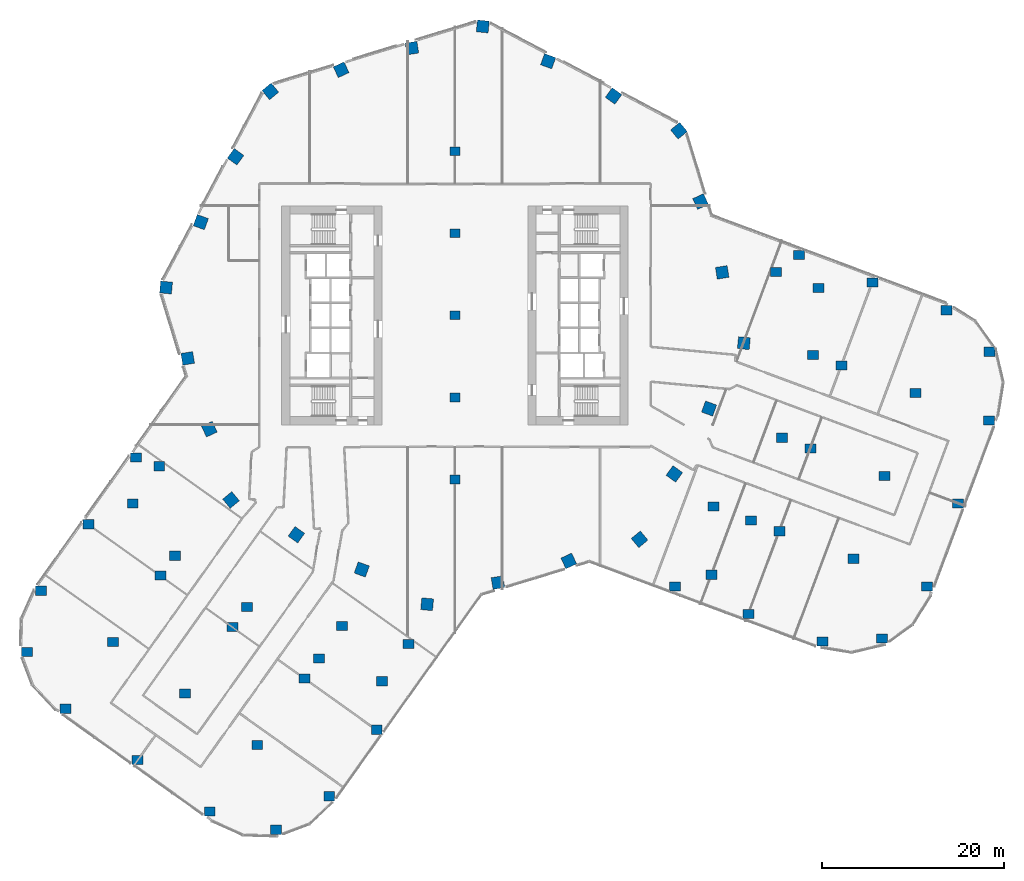
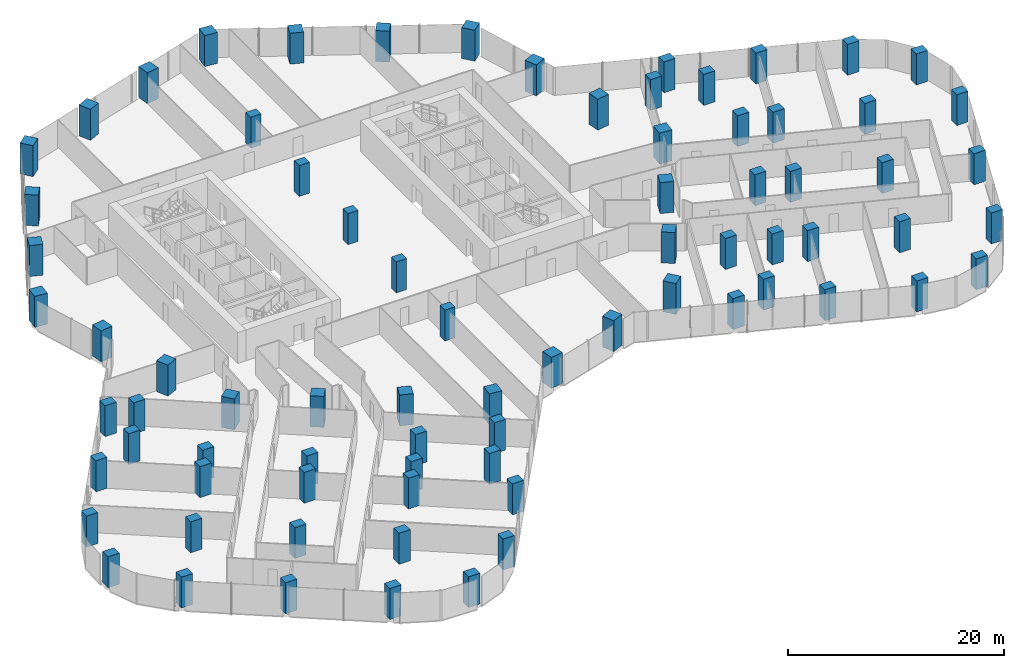
# One storey, part 1 of 31: 77 columns.
"""IFC4 building model written with IfcOpenShell, lengths in metres."""

from ifc_helpers import new_model, si_unit, direction, frame, origin, origin_2d, place, context, subcontext, project, spatial, rectangle, extrude, material, material_profile, profile_set, type_object, element, save


model = new_model("IFC4")

# Units and contexts
model_context = context("Model", 3, precision=1e-05, world=origin(), true_north=direction((0.0, 1.0)))
body_context = subcontext(model_context, "Body", "Model", "MODEL_VIEW")
ifc_project = project(units=[si_unit("LENGTHUNIT", "METRE"), si_unit("AREAUNIT", "SQUARE_METRE"), si_unit("VOLUMEUNIT", "CUBIC_METRE"), si_unit("PLANEANGLEUNIT", "RADIAN"), si_unit("MASSUNIT", "GRAM", prefix="KILO")], contexts=[model_context])

# Site, building, storey
site_placement = place(None, origin())
site = spatial("IfcSite", under=ifc_project, at=site_placement, CompositionType="ELEMENT")
building_placement = place(site_placement, origin())
building = spatial("IfcBuilding", under=site, at=building_placement, Name="Orlundy Tower", CompositionType="ELEMENT")
storey_placement = place(building_placement, frame((0.0, 0.0, 87.699951171875)))
storey = spatial("IfcBuildingStorey", under=building, at=storey_placement, Name="L21", CompositionType="ELEMENT", Elevation=87.699951171875)

# Columns
ifc_material_1 = material(Name="Concrete C80/95", Category="concrete")
ifc_material_profile_1 = material_profile(ifc_material_1, rectangle(XDim=1.10009765625, YDim=0.949951171875, at=origin_2d()), Name="RC1100X950")
ifc_profile_set_1 = profile_set([ifc_material_profile_1], Name="Concrete C80/95")
column_type_1 = type_object("IfcColumnType", Name="RC COLUMN RC1100X950 C80/95", PredefinedType="COLUMN", material=ifc_profile_set_1)
for number, where, z_axis, x_axis, name in (
    (1, (0.0, -18.0, 0.0), (0.0, 0.0, 1.0), (1.0, 0.0, 0.0), "Column C-M1 L21"),
    (2, (0.0, -9.0, 0.0), (0.0, 0.0, 1.0), (1.0, 0.0, 0.0), "Column C-M2 L21"),
    (3, (0.0, 0.0, 0.0), (0.0, 0.0, 1.0), (1.0, 0.0, 0.0), "Column C-M3 L21"),
    (4, (0.0, 9.0, 0.0), (0.0, 0.0, 1.0), (1.0, 0.0, 0.0), "Column C-M4 L21"),
    (5, (0.0, 18.0, 0.0), (0.0, 0.0, 1.0), (1.0, 0.0, 0.0), "Column C-M5 L21"),
):
    element("IfcColumn", number, at=place(storey_placement, frame(where, z_axis=z_axis, x_axis=x_axis)), inside=storey, type_object=column_type_1, Name=name, PredefinedType="COLUMN", context=body_context, shape_type="SweptSolid", body=[
        extrude(rectangle(XDim=1.10009765625, YDim=0.949951171875, at=origin_2d()), origin(), (0.0, 0.0, 1.0), 3.5),
    ])
ifc_material_2 = material(Name="Concrete C80/95", Category="concrete")
ifc_material_profile_2 = material_profile(ifc_material_2, rectangle(XDim=1.199951171875, YDim=1.0, at=origin_2d()), Name="RC1200X1000")
ifc_profile_set_2 = profile_set([ifc_material_profile_2], Name="Concrete C80/95")
column_type_2 = type_object("IfcColumnType", Name="RC COLUMN RC1200X1000 C80/95", PredefinedType="COLUMN", material=ifc_profile_set_2)
for number, where, z_axis, x_axis, name in (
    (6, (24.115966796875, -29.72802734375, 0.0), (0.0, 0.0, 1.0), (1.0, 0.0, 0.0), "Column C-A1-1 L21"),
    (7, (32.202880859375, -32.751953125, 0.0), (0.0, 0.0, 1.0), (1.0, 0.0, 0.0), "Column C-A1-2 L21"),
    (8, (40.291015625, -35.77099609375, 0.0), (0.0, 0.0, 1.0), (1.0, 0.0, 0.0), "Column C-A1-3 L21"),
    (9, (46.846923828125, -35.444091796875, 0.0), (0.0, 0.0, 1.0), (1.0, 0.0, 0.0), "Column C-A1-5 L21"),
    (10, (28.114013671875, -28.43994140625, 0.0), (0.0, 0.0, 1.0), (1.0, 0.0, 0.0), "Column C-A1-6 L21"),
    (11, (35.60009765625, -23.666015625, 0.0), (0.0, 0.0, 1.0), (1.0, 0.0, 0.0), "Column C-A2-2 L21"),
    (12, (43.68603515625, -26.68896484375, 0.0), (0.0, 0.0, 1.0), (1.0, 0.0, 0.0), "Column C-A2-3 L21"),
    (13, (51.77294921875, -29.712890625, 0.0), (0.0, 0.0, 1.0), (1.0, 0.0, 0.0), "Column C-A2-5 L21"),
    (14, (32.47802734375, -22.4990234375, 0.0), (0.0, 0.0, 1.0), (1.0, 0.0, 0.0), "Column C-A2-6 L21"),
    (15, (28.35595703125, -20.9580078125, 0.0), (0.0, 0.0, 1.0), (1.0, 0.0, 0.0), "Column C-A2-7 L21"),
    (16, (38.9970703125, -14.580078125, 0.0), (0.0, 0.0, 1.0), (1.0, 0.0, 0.0), "Column C-A3-2 L21"),
    (17, (47.0830078125, -17.60400390625, 0.0), (0.0, 0.0, 1.0), (1.0, 0.0, 0.0), "Column C-A3-3 L21"),
    (18, (55.169921875, -20.626953125, 0.0), (0.0, 0.0, 1.0), (1.0, 0.0, 0.0), "Column C-A3-5 L21"),
    (19, (35.875, -13.4130859375, 0.0), (0.0, 0.0, 1.0), (1.0, 0.0, 0.0), "Column C-A3-6 L21"),
    (20, (42.39404296875, -5.4951171875, 0.0), (0.0, 0.0, 1.0), (1.0, 0.0, 0.0), "Column C-A4-2 L21"),
    (21, (50.47998046875, -8.51806640625, 0.0), (0.0, 0.0, 1.0), (1.0, 0.0, 0.0), "Column C-A4-3 L21"),
    (22, (58.56689453125, -11.541015625, 0.0), (0.0, 0.0, 1.0), (1.0, 0.0, 0.0), "Column C-A4-5 L21"),
    (23, (39.27197265625, -4.326904296875, 0.0), (0.0, 0.0, 1.0), (1.0, 0.0, 0.0), "Column C-A4-6 L21"),
    (24, (37.7041015625, 6.614990234375, 0.0), (0.0, 0.0, 1.0), (1.0, 0.0, 0.0), "Column C-A5-1 L21"),
    (25, (45.791015625, 3.591064453125, 0.0), (0.0, 0.0, 1.0), (1.0, 0.0, 0.0), "Column C-A5-2 L21"),
    (26, (53.8759765625, 0.56396484375, 0.0), (0.0, 0.0, 1.0), (1.0, 0.0, 0.0), "Column C-A5-3 L21"),
    (27, (58.60888671875, -3.985107421875, 0.0), (0.0, 0.0, 1.0), (1.0, 0.0, 0.0), "Column C-A5-5 L21"),
    (28, (39.8759765625, 3.02001953125, 0.0), (0.0, 0.0, 1.0), (1.0, 0.0, 0.0), "Column C-A5-6 L21"),
    (29, (35.193115234375, 4.77099609375, 0.0), (0.0, 0.0, 1.0), (1.0, 0.0, 0.0), "Column C-A5-7 L21"),
    (30, (-34.95703125, -15.60009765625, 0.0), (0.0, 0.0, 1.0), (1.0, 0.0, 0.0), "Column C-B1-1 L21"),
    (31, (-40.1640625, -22.89990234375, 0.0), (0.0, 0.0, 1.0), (1.0, 0.0, 0.0), "Column C-B1-2 L21"),
    (32, (-45.37109375, -30.199951171875, 0.0), (0.0, 0.0, 1.0), (1.0, 0.0, 0.0), "Column C-B1-3 L21"),
    (33, (-46.94189453125, -36.89111328125, 0.0), (0.0, 0.0, 1.0), (1.0, 0.0, 0.0), "Column C-B1-5 L21"),
    (34, (-35.327880859375, -20.60888671875, 0.0), (0.0, 0.0, 1.0), (1.0, 0.0, 0.0), "Column C-B1-6 L21"),
    (35, (-32.424072265625, -16.5390625, 0.0), (0.0, 0.0, 1.0), (1.0, 0.0, 0.0), "Column C-B1-7 L21"),
    (36, (-32.26708984375, -28.532958984375, 0.0), (0.0, 0.0, 1.0), (1.0, 0.0, 0.0), "Column C-B2-2 L21"),
    (37, (-37.47412109375, -35.8330078125, 0.0), (0.0, 0.0, 1.0), (1.0, 0.0, 0.0), "Column C-B2-3 L21"),
    (38, (-42.680908203125, -43.133056640625, 0.0), (0.0, 0.0, 1.0), (1.0, 0.0, 0.0), "Column C-B2-5 L21"),
    (39, (-30.718994140625, -26.362060546875, 0.0), (0.0, 0.0, 1.0), (1.0, 0.0, 0.0), "Column C-B2-6 L21"),
    (40, (-24.3701171875, -34.166015625, 0.0), (0.0, 0.0, 1.0), (1.0, 0.0, 0.0), "Column C-B3-2 L21"),
    (41, (-29.576904296875, -41.466064453125, 0.0), (0.0, 0.0, 1.0), (1.0, 0.0, 0.0), "Column C-B3-3 L21"),
    (42, (-34.783935546875, -48.76611328125, 0.0), (0.0, 0.0, 1.0), (1.0, 0.0, 0.0), "Column C-B3-5 L21"),
    (43, (-22.822021484375, -31.9951171875, 0.0), (0.0, 0.0, 1.0), (1.0, 0.0, 0.0), "Column C-B3-6 L21"),
    (44, (-16.472900390625, -39.799072265625, 0.0), (0.0, 0.0, 1.0), (1.0, 0.0, 0.0), "Column C-B4-2 L21"),
    (45, (-21.679931640625, -47.097900390625, 0.0), (0.0, 0.0, 1.0), (1.0, 0.0, 0.0), "Column C-B4-3 L21"),
    (46, (-26.886962890625, -54.39794921875, 0.0), (0.0, 0.0, 1.0), (1.0, 0.0, 0.0), "Column C-B4-5 L21"),
    (47, (-14.925048828125, -37.6279296875, 0.0), (0.0, 0.0, 1.0), (1.0, 0.0, 0.0), "Column C-B4-6 L21"),
    (48, (-12.3701171875, -34.044921875, 0.0), (0.0, 0.0, 1.0), (1.0, 0.0, 0.0), "Column C-B4-7 L21"),
    (49, (-8.575927734375, -45.430908203125, 0.0), (0.0, 0.0, 1.0), (1.0, 0.0, 0.0), "Column C-B5-2 L21"),
    (50, (-13.782958984375, -52.73095703125, 0.0), (0.0, 0.0, 1.0), (1.0, 0.0, 0.0), "Column C-B5-3 L21"),
    (51, (-19.59912109375, -56.39501953125, 0.0), (0.0, 0.0, 1.0), (1.0, 0.0, 0.0), "Column C-B5-5 L21"),
    (52, (-7.985107421875, -40.113037109375, 0.0), (0.0, 0.0, 1.0), (1.0, 0.0, 0.0), "Column C-B5-6 L21"),
    (53, (-5.0810546875, -36.0419921875, 0.0), (0.0, 0.0, 1.0), (1.0, 0.0, 0.0), "Column C-B5-7 L21"),
):
    element("IfcColumn", number, at=place(storey_placement, frame(where, z_axis=z_axis, x_axis=x_axis)), inside=storey, type_object=column_type_2, Name=name, PredefinedType="COLUMN", context=body_context, shape_type="SweptSolid", body=[
        extrude(rectangle(XDim=1.199951171875, YDim=1.0, at=origin_2d()), origin(), (0.0, 0.0, 1.0), 3.5),
    ])
ifc_material_3 = material(Name="Concrete C80/95", Category="concrete")
ifc_material_profile_3 = material_profile(ifc_material_3, rectangle(XDim=1.300048828125, YDim=1.300048828125, at=origin_2d()), Name="RC1300X1300")
ifc_profile_set_3 = profile_set([ifc_material_profile_3], Name="Concrete C80/95")
column_type_3 = type_object("IfcColumnType", Name="RC COLUMN RC1300X1300 C80/95", PredefinedType="COLUMN", material=ifc_profile_set_3)
for number, where, z_axis, x_axis, name in (
    (54, (24.554931640625, 20.240966796875, 0.0), (0.0, 0.0, 1.0), (0.771635684929, 0.636064752791, 0.0), "Column C-H01 L21"),
    (55, (26.928955078125, 12.47802734375, 0.0), (0.0, 0.0, 1.0), (0.907330394129, 0.420418310601, 0.0), "Column C-H02 L21"),
    (56, (29.302001953125, 4.714111328125, 0.0), (0.0, 0.0, 1.0), (0.987305923232, 0.158830141822, 0.0), "Column C-H03 L21"),
    (57, (31.676025390625, -3.050048828125, 0.0), (0.0, 0.0, 1.0), (0.995396198367, -0.09584575252, 0.0), "Column C-H04 L21"),
    (58, (27.864013671875, -10.218017578125, 0.0), (0.0, 0.0, 1.0), (0.938866121832, -0.344282449852, 0.0), "Column C-H05 L21"),
    (59, (24.052978515625, -17.386962890625, 0.0), (0.0, 0.0, 1.0), (0.810430359136, -0.585834987851, 0.0), "Column C-H06 L21"),
    (60, (20.240966796875, -24.554931640625, 0.0), (0.0, 0.0, 1.0), (0.636064752791, -0.771635684929, 0.0), "Column C-H07 L21"),
    (61, (12.47802734375, -26.928955078125, 0.0), (0.0, 0.0, 1.0), (0.420418310601, -0.907330394129, 0.0), "Column C-H08 L21"),
    (62, (4.714111328125, -29.302001953125, 0.0), (0.0, 0.0, 1.0), (0.158830141822, -0.987305923232, 0.0), "Column C-H09 L21"),
    (63, (-3.050048828125, -31.676025390625, 0.0), (0.0, 0.0, 1.0), (-0.09584575252, -0.995396198367, 0.0), "Column C-H10 L21"),
    (64, (-10.218017578125, -27.864013671875, 0.0), (0.0, 0.0, 1.0), (-0.344282449852, -0.938866121832, 0.0), "Column C-H11 L21"),
    (65, (-17.386962890625, -24.052978515625, 0.0), (0.0, 0.0, 1.0), (-0.585834987851, -0.810430359136, 0.0), "Column C-H12 L21"),
    (66, (-24.554931640625, -20.240966796875, 0.0), (0.0, 0.0, 1.0), (-0.771635684929, -0.636064752791, 0.0), "Column C-H13 L21"),
    (67, (-26.928955078125, -12.47802734375, 0.0), (0.0, 0.0, 1.0), (-0.907330394129, -0.420418310601, 0.0), "Column C-H14 L21"),
    (68, (-29.302001953125, -4.714111328125, 0.0), (0.0, 0.0, 1.0), (-0.987305923232, -0.158830141822, 0.0), "Column C-H15 L21"),
    (69, (-31.676025390625, 3.050048828125, 0.0), (0.0, 0.0, 1.0), (-0.995396198367, 0.09584575252, 0.0), "Column C-H16 L21"),
    (70, (-27.864013671875, 10.218017578125, 0.0), (0.0, 0.0, 1.0), (-0.938866121832, 0.344282449852, 0.0), "Column C-H17 L21"),
    (71, (-24.052978515625, 17.386962890625, 0.0), (0.0, 0.0, 1.0), (-0.810430359136, 0.585834987851, 0.0), "Column C-H18 L21"),
    (72, (-20.240966796875, 24.554931640625, 0.0), (0.0, 0.0, 1.0), (-0.636064752791, 0.771635684929, 0.0), "Column C-H19 L21"),
    (73, (-12.47802734375, 26.928955078125, 0.0), (0.0, 0.0, 1.0), (-0.420418310601, 0.907330394129, 0.0), "Column C-H20 L21"),
    (74, (-4.714111328125, 29.302001953125, 0.0), (0.0, 0.0, 1.0), (-0.158830141822, 0.987305923232, 0.0), "Column C-H21 L21"),
    (75, (3.050048828125, 31.676025390625, 0.0), (0.0, 0.0, 1.0), (0.09584575252, 0.995396198367, 0.0), "Column C-H22 L21"),
    (76, (10.218017578125, 27.864013671875, 0.0), (0.0, 0.0, 1.0), (0.344282449852, 0.938866121832, 0.0), "Column C-H23 L21"),
    (77, (17.386962890625, 24.052978515625, 0.0), (0.0, 0.0, 1.0), (0.585834987851, 0.810430359136, 0.0), "Column C-H24 L21"),
):
    element("IfcColumn", number, at=place(storey_placement, frame(where, z_axis=z_axis, x_axis=x_axis)), inside=storey, type_object=column_type_3, Name=name, PredefinedType="COLUMN", context=body_context, shape_type="SweptSolid", body=[
        extrude(rectangle(XDim=1.300048828125, YDim=1.300048828125, at=origin_2d()), origin(), (0.0, 0.0, 1.0), 3.5),
    ])

save(model, "model.ifc")
